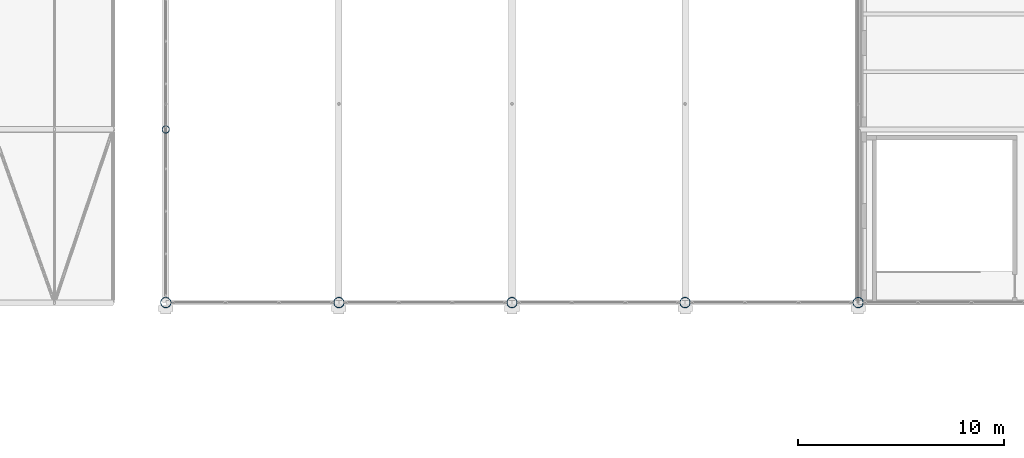
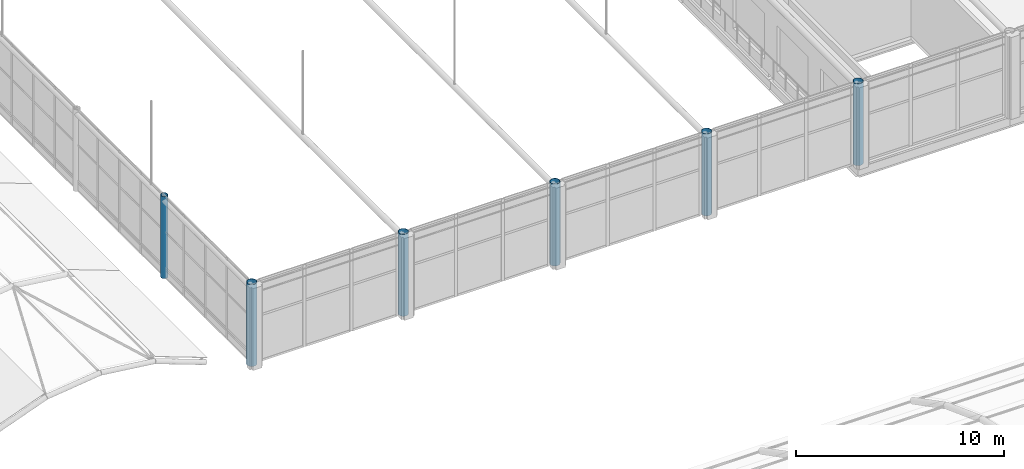
# One storey, part 1 of 167: 6 columns.
"""IFC4 building model written with IfcOpenShell, lengths in metres."""

from ifc_helpers import new_model, si_unit, direction, frame, origin, origin_2d, place, context, subcontext, project, spatial, hollow_circle, extrude, material, material_profile, profile_set, type_object, element, save


model = new_model("IFC4")

# Units and contexts
model_context = context("Model", 3, precision=1e-05, world=origin(), true_north=direction((0.0, 1.0)))
body_context = subcontext(model_context, "Body", "Model", "MODEL_VIEW")
ifc_project = project(units=[si_unit("LENGTHUNIT", "METRE"), si_unit("AREAUNIT", "SQUARE_METRE"), si_unit("VOLUMEUNIT", "CUBIC_METRE"), si_unit("PLANEANGLEUNIT", "RADIAN"), si_unit("MASSUNIT", "GRAM", prefix="KILO")], contexts=[model_context])

# Site, building, storey
site_placement = place(None, origin())
site = spatial("IfcSite", under=ifc_project, at=site_placement, CompositionType="ELEMENT")
building_placement = place(site_placement, origin())
building = spatial("IfcBuilding", under=site, at=building_placement, Name="Catenary Quay Ferry Terminal", CompositionType="ELEMENT")
storey_placement = place(building_placement, frame((0.0, 0.0, 6.0)))
storey = spatial("IfcBuildingStorey", under=building, at=storey_placement, Name="L01", CompositionType="ELEMENT", Elevation=6.0)

# Columns
ifc_material_1 = material(Name="Steel S355", Category="steel")
ifc_material_profile_1 = material_profile(ifc_material_1, hollow_circle(Radius=0.25390625, WallThickness=0.01611328125, at=origin_2d()), Name="CHS 508x16")
ifc_profile_set_1 = profile_set([ifc_material_profile_1], Name="Steel S355")
column_type_1 = type_object("IfcColumnType", Name="C4 CHS 508x16", PredefinedType="COLUMN", material=ifc_profile_set_1)
for number, where, z_axis, x_axis, name in (
    (1, (25.199951171875, 67.199951171875, 0.0), (0.0, 0.0, 1.0), (1.0, 0.0, 0.0), "Column C-D9 L01"),
    (2, (33.60009765625, 67.199951171875, 0.0), (0.0, 0.0, 1.0), (1.0, 0.0, 0.0), "Column C-E9 L01"),
    (3, (42.0, 67.199951171875, 0.0), (0.0, 0.0, 1.0), (1.0, 0.0, 0.0), "Column C-F9 L01"),
    (4, (50.39990234375, 67.199951171875, 0.0), (0.0, 0.0, 1.0), (1.0, 0.0, 0.0), "Column C-G9 L01"),
    (5, (58.800048828125, 67.199951171875, 0.0), (0.0, 0.0, 1.0), (1.0, 0.0, 0.0), "Column C-H9 L01"),
):
    element("IfcColumn", number, at=place(storey_placement, frame(where, z_axis=z_axis, x_axis=x_axis)), inside=storey, type_object=column_type_1, Name=name, PredefinedType="COLUMN", context=body_context, shape_type="SweptSolid", body=[
        extrude(hollow_circle(Radius=0.25390625, WallThickness=0.01611328125, at=origin_2d()), origin(), (0.0, 0.0, 1.0), 4.800048828125),
    ])
ifc_material_2 = material(Name="Steel S355", Category="steel")
ifc_material_profile_2 = material_profile(ifc_material_2, hollow_circle(Radius=0.177734375, WallThickness=0.012451171875, at=origin_2d()), Name="CHS 355.6x12.5")
ifc_profile_set_2 = profile_set([ifc_material_profile_2], Name="Steel S355")
column_type_2 = type_object("IfcColumnType", Name="C5 CHS 355.6x12.5", PredefinedType="COLUMN", material=ifc_profile_set_2)
column_placement = place(storey_placement, frame((25.199951171875, 75.60009765625, 0.0), z_axis=(0.0, 0.0, 1.0), x_axis=(1.0, 0.0, 0.0)))
element("IfcColumn", 6, at=column_placement, inside=storey, type_object=column_type_2, Name="Column C-D10 L01", PredefinedType="COLUMN", context=body_context, shape_type="SweptSolid", body=[
    extrude(hollow_circle(Radius=0.177734375, WallThickness=0.012451171875, at=origin_2d()), origin(), (0.0, 0.0, 1.0), 4.800048828125),
])

save(model, "model.ifc")
